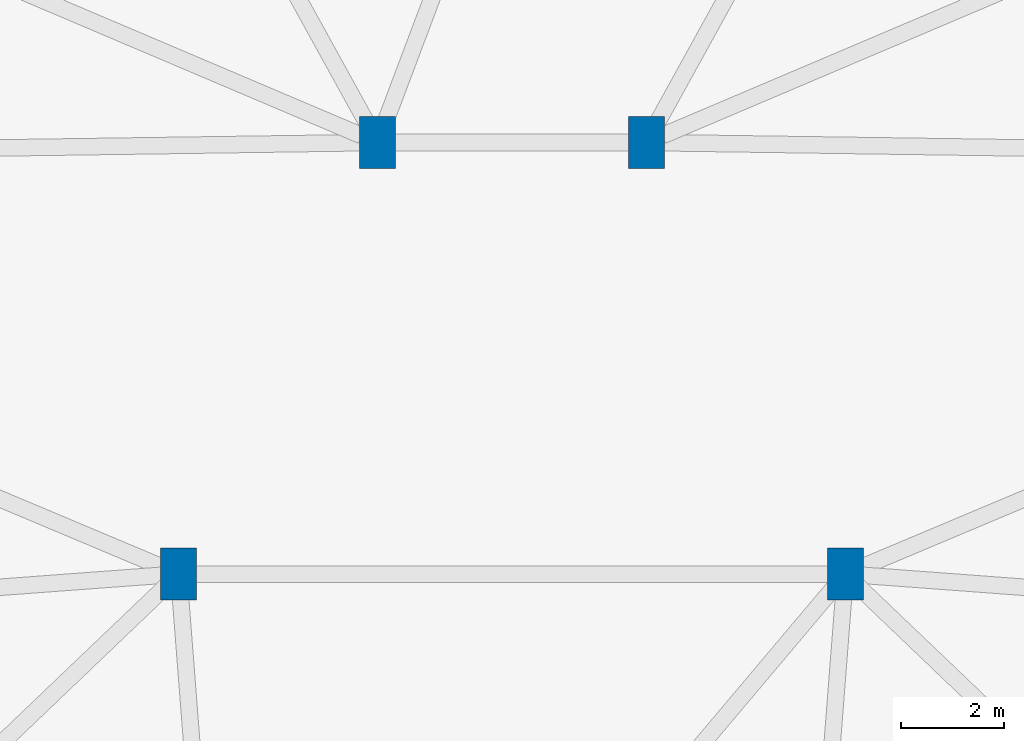
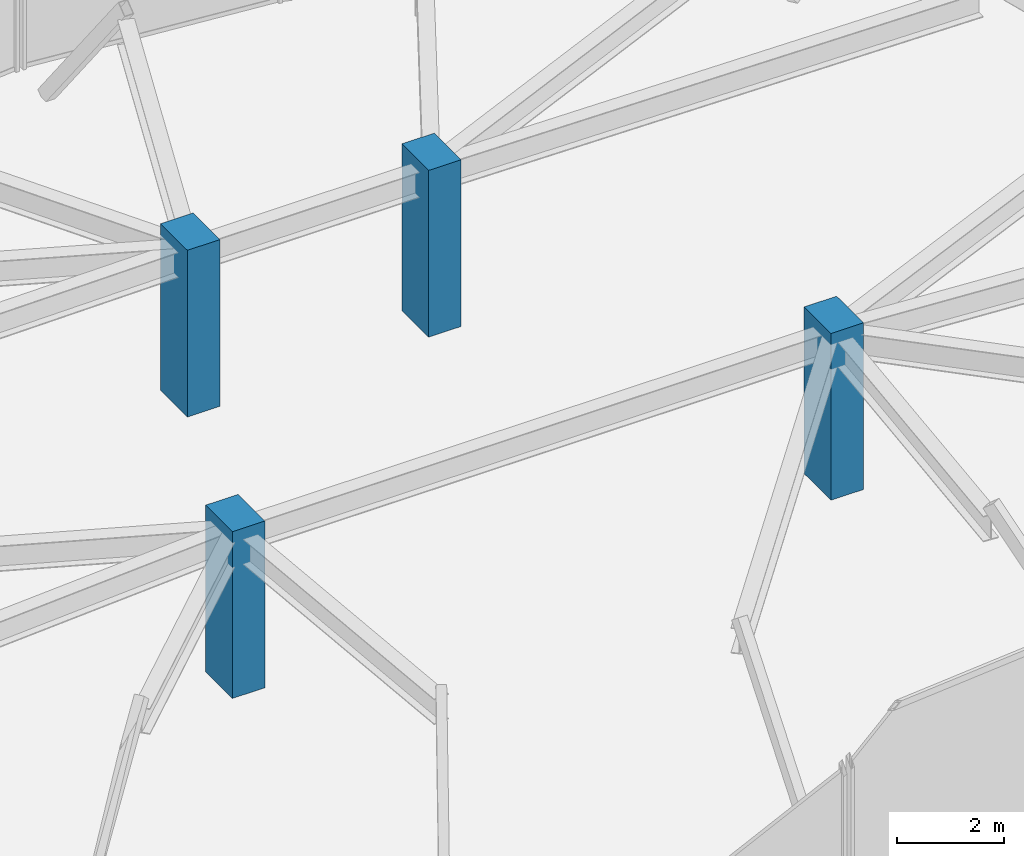
# One storey, part 1 of 14: 4 columns.
"""IFC4 building model written with IfcOpenShell, lengths in metres."""

from ifc_helpers import new_model, si_unit, direction, frame, origin, origin_2d, place, context, subcontext, project, spatial, rectangle, extrude, material, material_profile, profile_set, type_object, element, save


model = new_model("IFC4")

# Units and contexts
model_context = context("Model", 3, precision=1e-05, world=origin(), true_north=direction((0.0, 1.0)))
body_context = subcontext(model_context, "Body", "Model", "MODEL_VIEW")
ifc_project = project(units=[si_unit("LENGTHUNIT", "METRE"), si_unit("AREAUNIT", "SQUARE_METRE"), si_unit("VOLUMEUNIT", "CUBIC_METRE"), si_unit("PLANEANGLEUNIT", "RADIAN"), si_unit("MASSUNIT", "GRAM", prefix="KILO")], contexts=[model_context])

# Site, building, storey
site_placement = place(None, origin())
site = spatial("IfcSite", under=ifc_project, at=site_placement, CompositionType="ELEMENT")
building_placement = place(site_placement, origin())
building = spatial("IfcBuilding", under=site, at=building_placement, Name="Vorneva Point Tower", CompositionType="ELEMENT")
storey_placement = place(building_placement, frame((0.0, 0.0, 299.199951171875)))
storey = spatial("IfcBuildingStorey", under=building, at=storey_placement, Name="C02", CompositionType="ELEMENT", Elevation=299.199951171875)

# Columns
ifc_material = material(Name="Concrete B50 (C40/50)", Category="concrete")
ifc_material_profile = material_profile(ifc_material, rectangle(XDim=0.699951171875, YDim=1.0, at=origin_2d()), Name="RC-PIL 1000x700")
ifc_profile_set = profile_set([ifc_material_profile], Name="Concrete B50 (C40/50)")
column_type = type_object("IfcColumnType", Name="PIL-RC1000x700", PredefinedType="PILASTER", material=ifc_profile_set)
for number, where, z_axis, x_axis, name in (
    (1, (31.550048828125, 22.199951171875, 0.0), (0.0, 0.0, 1.0), (1.0, 0.0, 0.0), "C02 Core Pilaster CP4"),
    (2, (44.449951171875, 22.199951171875, 0.0), (0.0, 0.0, 1.0), (1.0, 0.0, 0.0), "C02 Core Pilaster CP8"),
    (3, (35.39990234375, 30.550048828125, 0.0), (0.0, 0.0, 1.0), (1.0, 0.0, 0.0), "C02 Core Pilaster CP9"),
    (4, (40.60009765625, 30.550048828125, 0.0), (0.0, 0.0, 1.0), (1.0, 0.0, 0.0), "C02 Core Pilaster CP10"),
):
    element("IfcColumn", number, at=place(storey_placement, frame(where, z_axis=z_axis, x_axis=x_axis)), inside=storey, type_object=column_type, Name=name, PredefinedType="PILASTER", context=body_context, shape_type="SweptSolid", body=[
        extrude(rectangle(XDim=0.699951171875, YDim=1.0, at=origin_2d()), origin(), (0.0, 0.0, 1.0), 3.800048828125),
    ])

save(model, "model.ifc")
